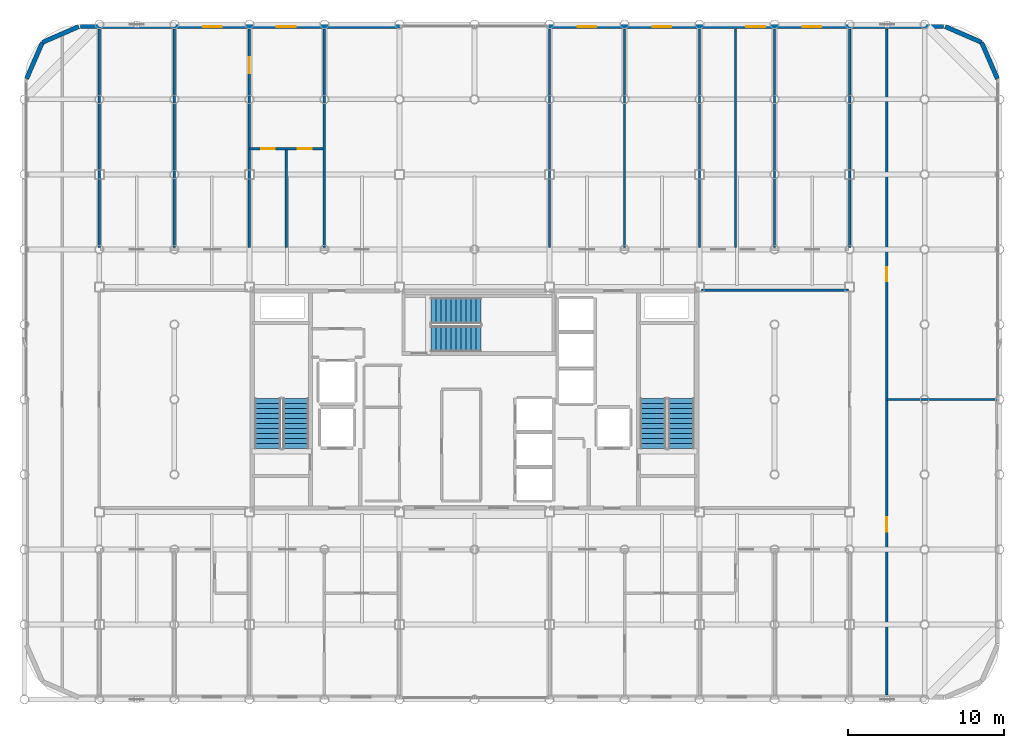
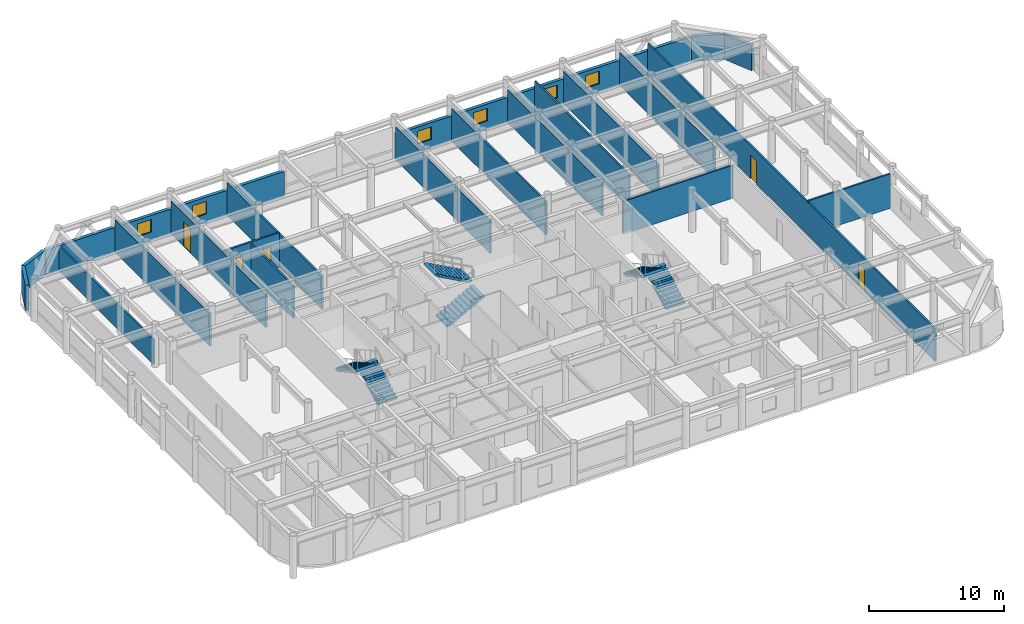
# One storey, part 21 of 22: 21 walls, 6 stair flights, 6 windows, 5 doors, 11 openings, 3 elements without a shape of their own.
"""IFC4 building model written with IfcOpenShell, lengths in metres."""

from ifc_helpers import new_model, si_unit, direction, frame, frame_2d, origin, place, context, subcontext, project, spatial, polyline, rectangle, outline, extrude, material, layer, layer_set, type_object, element, fill, aggregate, save


model = new_model("IFC4")

# Units and contexts
model_context = context("Model", 3, precision=1e-05, world=origin(), true_north=direction((0.0, 1.0)))
body_context = subcontext(model_context, "Body", "Model", "MODEL_VIEW")
ifc_project = project(units=[si_unit("LENGTHUNIT", "METRE"), si_unit("AREAUNIT", "SQUARE_METRE"), si_unit("VOLUMEUNIT", "CUBIC_METRE"), si_unit("PLANEANGLEUNIT", "RADIAN"), si_unit("MASSUNIT", "GRAM", prefix="KILO")], contexts=[model_context])

# Site, building, storey
site_placement = place(None, origin())
site = spatial("IfcSite", under=ifc_project, at=site_placement, CompositionType="ELEMENT")
building_placement = place(site_placement, origin())
building = spatial("IfcBuilding", under=site, at=building_placement, Name="Kallvorn Hotel Tower", CompositionType="ELEMENT")
storey_placement = place(building_placement, frame((0.0, 0.0, 241.550048828125)))
storey = spatial("IfcBuildingStorey", under=building, at=storey_placement, Name="L60", CompositionType="ELEMENT", Elevation=241.550048828125)

# Wall, openings, doors
ifc_material_1 = material(Name="Fire-rated double-layer acoustic gypsum drywall EI 60")
ifc_layer_1 = layer(ifc_material_1, 0.159912109375)
ifc_layer_set_1 = layer_set([ifc_layer_1], Name="WL_DEMISE_160")
wall_type_1 = type_object("IfcWallType", Name="WL_DEMISE_160", PredefinedType="PARTITIONING", material=ifc_layer_set_1)
wall_1_placement = place(storey_placement, frame((-14.39990234375, 16.050048828125, 0.0), z_axis=(0.0, 0.0, 1.0), x_axis=(1.0, 0.0, 0.0)))
wall_1 = element("IfcWall", 1, at=wall_1_placement, inside=storey, type_object=wall_type_1, Name="L60 Suite 6005 Junior Bedroom Partition", PredefinedType="PARTITIONING", context=body_context, shape_type="SweptSolid", body=[
    extrude(rectangle(XDim=4.719970703125, YDim=0.159912109375, at=frame_2d((2.35986328125, 0.0))), origin(), (0.0, 0.0, 1.0), 3.119873046875),
])
opening_1_placement = place(wall_1_placement, frame((0.75, 0.0, 0.0)))
opening_1 = element("IfcOpeningElement", 2, at=opening_1_placement, cuts=wall_1, Name="Opening BD-I", PredefinedType="OPENING", context=body_context, shape_type="SweptSolid", body=[
    extrude(rectangle(XDim=0.860107421875, YDim=2.10009765625, at=frame_2d((0.43017578125, 1.050048828125))), frame((0.0, 0.094970703125, 0.0), z_axis=(0.0, -1.0, 0.0), x_axis=(1.0, 0.0, 0.0)), (0.0, 0.0, 1.0), 0.18994140625),
])
opening_2_placement = place(wall_1_placement, frame((3.090087890625, 0.0, 0.0)))
opening_2 = element("IfcOpeningElement", 3, at=opening_2_placement, cuts=wall_1, Name="Opening SVD1", PredefinedType="OPENING", context=body_context, shape_type="SweptSolid", body=[
    extrude(rectangle(XDim=0.89990234375, YDim=2.10009765625, at=frame_2d((0.449951171875, 1.050048828125))), frame((0.0, 0.094970703125, 0.0), z_axis=(0.0, -1.0, 0.0), x_axis=(1.0, 0.0, 0.0)), (0.0, 0.0, 1.0), 0.18994140625),
])
ifc_material_2 = material(Name="Solid-core walnut veneer fire-rated timber door leaf", Category="wood")
door_type_1 = type_object("IfcDoorType", Name="DR_BATH_860x2100", OperationType="NOTDEFINED", PredefinedType="DOOR", material=ifc_material_2)
door_1_placement = place(opening_1_placement, origin())
door_1 = element("IfcDoor", 4, at=door_1_placement, inside=storey, type_object=door_type_1, Name="L60 Suite 6005 En-Suite Bathroom Door", OperationType="SINGLE_SWING_LEFT", OverallHeight=2.10009765625, OverallWidth=0.860107421875, PredefinedType="DOOR", context=body_context, shape_type="SweptSolid", body=[
    extrude(rectangle(XDim=0.860107421875, YDim=2.10009765625, at=frame_2d((0.43017578125, 1.050048828125))), frame((0.0, 0.02490234375, 0.0), z_axis=(0.0, -1.0, 0.0), x_axis=(1.0, 0.0, 0.0)), (0.0, 0.0, 1.0), 0.050048828125),
])
fill(opening_1, door_1)
ifc_material_3 = material(Name="Galvanised painted steel fire-rated door assembly", Category="steel")
door_type_2 = type_object("IfcDoorType", Name="DR_SERV_900x2100", OperationType="NOTDEFINED", PredefinedType="DOOR", material=ifc_material_3)
door_2_placement = place(opening_2_placement, origin())
door_2 = element("IfcDoor", 5, at=door_2_placement, inside=storey, type_object=door_type_2, Name="L60 Suite 6005 Walk-In Dressing Closet Door", OperationType="SINGLE_SWING_LEFT", OverallHeight=2.10009765625, OverallWidth=0.89990234375, PredefinedType="DOOR", context=body_context, shape_type="SweptSolid", body=[
    extrude(rectangle(XDim=0.89990234375, YDim=2.10009765625, at=frame_2d((0.449951171875, 1.050048828125))), frame((0.0, 0.02490234375, 0.0), z_axis=(0.0, -1.0, 0.0), x_axis=(1.0, 0.0, 0.0)), (0.0, 0.0, 1.0), 0.050048828125),
])
fill(opening_2, door_2)

# Wall
wall_2_placement = place(storey_placement, frame((-19.199951171875, 9.719970703125, 0.0), z_axis=(0.0, 0.0, 1.0), x_axis=(0.0, 1.0, 0.0)))
element("IfcWall", 6, at=wall_2_placement, inside=storey, type_object=wall_type_1, Name="L60 Suite 6005 Junior Living Salon Partition", PredefinedType="PARTITIONING", context=body_context, shape_type="SweptSolid", body=[
    extrude(rectangle(XDim=13.989990234375, YDim=0.159912109375, at=frame_2d((6.9951171875, 0.0))), origin(), (0.0, 0.0, 1.0), 2.969970703125),
])

# Wall, opening, door
wall_3_placement = place(storey_placement, frame((-14.39990234375, 9.719970703125, 0.0), z_axis=(0.0, 0.0, 1.0), x_axis=(0.0, 1.0, 0.0)))
wall_3 = element("IfcWall", 7, at=wall_3_placement, inside=storey, type_object=wall_type_1, Name="L60 Suite 6005 Junior Living Salon Partition", PredefinedType="PARTITIONING", context=body_context, shape_type="SweptSolid", body=[
    extrude(rectangle(XDim=13.989990234375, YDim=0.159912109375, at=frame_2d((6.9951171875, 0.0))), origin(), (0.0, 0.0, 1.0), 2.969970703125),
])
opening_3_placement = place(wall_3_placement, frame((11.136962890625, 0.0, 0.0)))
opening_3 = element("IfcOpeningElement", 8, at=opening_3_placement, cuts=wall_3, Name="Opening GD2", PredefinedType="OPENING", context=body_context, shape_type="SweptSolid", body=[
    extrude(rectangle(XDim=1.050048828125, YDim=2.199951171875, at=frame_2d((0.52490234375, 1.10009765625))), frame((0.0, 0.094970703125, 0.0), z_axis=(0.0, -1.0, 0.0), x_axis=(1.0, 0.0, 0.0)), (0.0, 0.0, 1.0), 0.18994140625),
])
ifc_material_4 = material(Name="Solid-core walnut veneer fire-rated timber door leaf", Category="wood")
door_type_3 = type_object("IfcDoorType", Name="DR_SUITE_1050x2200", OperationType="NOTDEFINED", PredefinedType="DOOR", material=ifc_material_4)
door_3_placement = place(opening_3_placement, origin())
door_3 = element("IfcDoor", 9, at=door_3_placement, inside=storey, type_object=door_type_3, Name="L60 Suite 6005 Junior Bedroom Door", OperationType="SINGLE_SWING_LEFT", OverallHeight=2.199951171875, OverallWidth=1.050048828125, PredefinedType="DOOR", context=body_context, shape_type="SweptSolid", body=[
    extrude(rectangle(XDim=1.050048828125, YDim=2.199951171875, at=frame_2d((0.52490234375, 1.10009765625))), frame((0.0, 0.02490234375, 0.0), z_axis=(0.0, -1.0, 0.0), x_axis=(1.0, 0.0, 0.0)), (0.0, 0.0, 1.0), 0.050048828125),
])
fill(opening_3, door_3)

# Walls
wall_4_placement = place(storey_placement, frame((-9.60009765625, 9.719970703125, 0.0), z_axis=(0.0, 0.0, 1.0), x_axis=(0.0, 1.0, 0.0)))
element("IfcWall", 10, at=wall_4_placement, inside=storey, type_object=wall_type_1, Name="L60 Suite 6005 Junior Bedroom Partition", PredefinedType="PARTITIONING", context=body_context, shape_type="SweptSolid", body=[
    extrude(rectangle(XDim=13.989990234375, YDim=0.159912109375, at=frame_2d((6.9951171875, 0.0))), origin(), (0.0, 0.0, 1.0), 2.969970703125),
])
ifc_material_5 = material(Name="Precast basalt-clad insulated concrete wall C40/50", Category="masonry")
ifc_layer_2 = layer(ifc_material_5, 0.280029296875)
ifc_layer_set_2 = layer_set([ifc_layer_2], Name="WL_EXT_LOGGIA_280")
wall_type_2 = type_object("IfcWallType", Name="WL_EXT_LOGGIA_280", PredefinedType="SOLIDWALL", material=ifc_layer_set_2)
wall_5_placement = place(storey_placement, frame((33.4580078125, 20.520751953125, 0.0), z_axis=(0.0, 0.0, 1.0), x_axis=(-0.398792985289, 0.917040977756, 0.0)))
element("IfcWall", 11, at=wall_5_placement, inside=storey, type_object=wall_type_2, Name="L60 Rounded Corner Exterior Wall NE1", PredefinedType="SOLIDWALL", context=body_context, shape_type="SweptSolid", body=[
    extrude(rectangle(XDim=2.536376953125, YDim=0.280029296875, at=frame_2d((1.26806640625, 0.0))), origin(), (0.0, 0.0, 1.0), 2.27001953125),
])
for number, where, z_axis, x_axis, name in (
    (12, (32.446533203125, 22.8466796875, 0.0), (0.0, 0.0, 1.0), (-0.917060872934, 0.398747232384, 0.0), "L60 Rounded Corner Exterior Wall NE2"),
    (13, (-25.32080078125, 23.85791015625, 0.0), (0.0, 0.0, 1.0), (-0.917060872934, -0.398747232384, 0.0), "L60 Rounded Corner Exterior Wall NW1"),
):
    element("IfcWall", number, at=place(storey_placement, frame(where, z_axis=z_axis, x_axis=x_axis)), inside=storey, type_object=wall_type_2, Name=name, PredefinedType="SOLIDWALL", context=body_context, shape_type="SweptSolid", body=[
        extrude(rectangle(XDim=2.5361328125, YDim=0.280029296875, at=frame_2d((1.26806640625, 0.0))), origin(), (0.0, 0.0, 1.0), 2.27001953125),
    ])
wall_6_placement = place(storey_placement, frame((-27.646484375, 22.8466796875, 0.0), z_axis=(0.0, 0.0, 1.0), x_axis=(-0.398792985289, -0.917040977756, 0.0)))
element("IfcWall", 14, at=wall_6_placement, inside=storey, type_object=wall_type_2, Name="L60 Rounded Corner Exterior Wall NW2", PredefinedType="SOLIDWALL", context=body_context, shape_type="SweptSolid", body=[
    extrude(rectangle(XDim=2.536376953125, YDim=0.280029296875, at=frame_2d((1.26806640625, 0.0))), origin(), (0.0, 0.0, 1.0), 2.27001953125),
])

# Wall, openings, windows
wall_7_placement = place(storey_placement, frame((-25.199951171875, 23.860107421875, 0.0), z_axis=(0.0, 0.0, 1.0), x_axis=(1.0, 0.0, 0.0)))
wall_7 = element("IfcWall", 15, at=wall_7_placement, inside=storey, type_object=wall_type_2, Name="L60 Exterior Envelope Wall EW-L60-NW", PredefinedType="SOLIDWALL", context=body_context, shape_type="SweptSolid", body=[
    extrude(rectangle(XDim=20.449951171875, YDim=0.280029296875, at=frame_2d((10.22509765625, 0.0))), origin(), (0.0, 0.0, 1.0), 2.27001953125),
])
opening_4_placement = place(wall_7_placement, frame((7.840087890625, 0.0, 0.75)))
opening_4 = element("IfcOpeningElement", 16, at=opening_4_placement, cuts=wall_7, Name="Opening W06A", PredefinedType="OPENING", context=body_context, shape_type="SweptSolid", body=[
    extrude(rectangle(XDim=1.199951171875, YDim=1.14990234375, at=frame_2d((0.60009765625, 0.574951171875))), frame((0.0, 0.155029296875, 0.0), z_axis=(0.0, -1.0, 0.0), x_axis=(1.0, 0.0, 0.0)), (0.0, 0.0, 1.0), 0.31005859375),
])
opening_5_placement = place(wall_7_placement, frame((12.56005859375, 0.0, 0.75)))
opening_5 = element("IfcOpeningElement", 17, at=opening_5_placement, cuts=wall_7, Name="Opening W06A", PredefinedType="OPENING", context=body_context, shape_type="SweptSolid", body=[
    extrude(rectangle(XDim=1.199951171875, YDim=1.14990234375, at=frame_2d((0.60009765625, 0.574951171875))), frame((0.0, 0.155029296875, 0.0), z_axis=(0.0, -1.0, 0.0), x_axis=(1.0, 0.0, 0.0)), (0.0, 0.0, 1.0), 0.31005859375),
])
ifc_material_6 = material(Name="Triple-glazed low-e acoustic solar-control dark glass", Category="glass")
window_type = type_object("IfcWindowType", Name="WN_HTL_1200x1150", PartitioningType="SINGLE_PANEL", PredefinedType="WINDOW", material=ifc_material_6)
window_1_placement = place(opening_4_placement, origin())
window_1 = element("IfcWindow", 18, at=window_1_placement, inside=storey, type_object=window_type, Name="L60 Guestroom Exterior Window 10", OverallHeight=1.14990234375, OverallWidth=1.199951171875, PartitioningType="SINGLE_PANEL", PredefinedType="WINDOW", context=body_context, shape_type="SweptSolid", body=[
    extrude(rectangle(XDim=1.199951171875, YDim=1.14990234375, at=frame_2d((0.60009765625, 0.574951171875))), frame((0.0, 0.030029296875, 0.0), z_axis=(0.0, -1.0, 0.0), x_axis=(1.0, 0.0, 0.0)), (0.0, 0.0, 1.0), 0.06005859375),
])
fill(opening_4, window_1)
window_2_placement = place(opening_5_placement, origin())
window_2 = element("IfcWindow", 19, at=window_2_placement, inside=storey, type_object=window_type, Name="L60 Guestroom Exterior Window 11", OverallHeight=1.14990234375, OverallWidth=1.199951171875, PartitioningType="SINGLE_PANEL", PredefinedType="WINDOW", context=body_context, shape_type="SweptSolid", body=[
    extrude(rectangle(XDim=1.199951171875, YDim=1.14990234375, at=frame_2d((0.60009765625, 0.574951171875))), frame((0.0, 0.030029296875, 0.0), z_axis=(0.0, -1.0, 0.0), x_axis=(1.0, 0.0, 0.0)), (0.0, 0.0, 1.0), 0.06005859375),
])
fill(opening_5, window_2)

wall_8_placement = place(storey_placement, frame((4.75, 23.860107421875, 0.0), z_axis=(0.0, 0.0, 1.0), x_axis=(1.0, 0.0, 0.0)))
wall_8 = element("IfcWall", 20, at=wall_8_placement, inside=storey, type_object=wall_type_2, Name="L60 Exterior Envelope Wall EW-L60-NE", PredefinedType="SOLIDWALL", context=body_context, shape_type="SweptSolid", body=[
    extrude(rectangle(XDim=25.25, YDim=0.280029296875, at=frame_2d((12.625, 0.0))), origin(), (0.0, 0.0, 1.0), 2.27001953125),
])
opening_6_placement = place(wall_8_placement, frame((16.25, 0.0, 0.75)))
opening_6 = element("IfcOpeningElement", 21, at=opening_6_placement, cuts=wall_8, Name="Opening W06A", PredefinedType="OPENING", context=body_context, shape_type="SweptSolid", body=[
    extrude(rectangle(XDim=1.199951171875, YDim=1.14990234375, at=frame_2d((0.60009765625, 0.574951171875))), frame((0.0, 0.155029296875, 0.0), z_axis=(0.0, -1.0, 0.0), x_axis=(1.0, 0.0, 0.0)), (0.0, 0.0, 1.0), 0.31005859375),
])
opening_7_placement = place(wall_8_placement, frame((1.85009765625, 0.0, 0.75)))
opening_7 = element("IfcOpeningElement", 22, at=opening_7_placement, cuts=wall_8, Name="Opening W06A", PredefinedType="OPENING", context=body_context, shape_type="SweptSolid", body=[
    extrude(rectangle(XDim=1.199951171875, YDim=1.14990234375, at=frame_2d((0.60009765625, 0.574951171875))), frame((0.0, 0.155029296875, 0.0), z_axis=(0.0, -1.0, 0.0), x_axis=(1.0, 0.0, 0.0)), (0.0, 0.0, 1.0), 0.31005859375),
])
opening_8_placement = place(wall_8_placement, frame((6.64990234375, 0.0, 0.75)))
opening_8 = element("IfcOpeningElement", 23, at=opening_8_placement, cuts=wall_8, Name="Opening W06A", PredefinedType="OPENING", context=body_context, shape_type="SweptSolid", body=[
    extrude(rectangle(XDim=1.199951171875, YDim=1.14990234375, at=frame_2d((0.60009765625, 0.574951171875))), frame((0.0, 0.155029296875, 0.0), z_axis=(0.0, -1.0, 0.0), x_axis=(1.0, 0.0, 0.0)), (0.0, 0.0, 1.0), 0.31005859375),
])
opening_9_placement = place(wall_8_placement, frame((12.64990234375, 0.0, 0.75)))
opening_9 = element("IfcOpeningElement", 24, at=opening_9_placement, cuts=wall_8, Name="Opening W06A", PredefinedType="OPENING", context=body_context, shape_type="SweptSolid", body=[
    extrude(rectangle(XDim=1.199951171875, YDim=1.14990234375, at=frame_2d((0.60009765625, 0.574951171875))), frame((0.0, 0.155029296875, 0.0), z_axis=(0.0, -1.0, 0.0), x_axis=(1.0, 0.0, 0.0)), (0.0, 0.0, 1.0), 0.31005859375),
])
window_3_placement = place(opening_6_placement, origin())
window_3 = element("IfcWindow", 25, at=window_3_placement, inside=storey, type_object=window_type, Name="L60 Guestroom Exterior Window 02", OverallHeight=1.14990234375, OverallWidth=1.199951171875, PartitioningType="SINGLE_PANEL", PredefinedType="WINDOW", context=body_context, shape_type="SweptSolid", body=[
    extrude(rectangle(XDim=1.199951171875, YDim=1.14990234375, at=frame_2d((0.60009765625, 0.574951171875))), frame((0.0, 0.030029296875, 0.0), z_axis=(0.0, -1.0, 0.0), x_axis=(1.0, 0.0, 0.0)), (0.0, 0.0, 1.0), 0.06005859375),
])
fill(opening_6, window_3)
window_4_placement = place(opening_7_placement, origin())
window_4 = element("IfcWindow", 26, at=window_4_placement, inside=storey, type_object=window_type, Name="L60 Guestroom Exterior Window 12", OverallHeight=1.14990234375, OverallWidth=1.199951171875, PartitioningType="SINGLE_PANEL", PredefinedType="WINDOW", context=body_context, shape_type="SweptSolid", body=[
    extrude(rectangle(XDim=1.199951171875, YDim=1.14990234375, at=frame_2d((0.60009765625, 0.574951171875))), frame((0.0, 0.030029296875, 0.0), z_axis=(0.0, -1.0, 0.0), x_axis=(1.0, 0.0, 0.0)), (0.0, 0.0, 1.0), 0.06005859375),
])
fill(opening_7, window_4)
window_5_placement = place(opening_8_placement, origin())
window_5 = element("IfcWindow", 27, at=window_5_placement, inside=storey, type_object=window_type, Name="L60 Guestroom Exterior Window 13", OverallHeight=1.14990234375, OverallWidth=1.199951171875, PartitioningType="SINGLE_PANEL", PredefinedType="WINDOW", context=body_context, shape_type="SweptSolid", body=[
    extrude(rectangle(XDim=1.199951171875, YDim=1.14990234375, at=frame_2d((0.60009765625, 0.574951171875))), frame((0.0, 0.030029296875, 0.0), z_axis=(0.0, -1.0, 0.0), x_axis=(1.0, 0.0, 0.0)), (0.0, 0.0, 1.0), 0.06005859375),
])
fill(opening_8, window_5)
window_6_placement = place(opening_9_placement, origin())
window_6 = element("IfcWindow", 28, at=window_6_placement, inside=storey, type_object=window_type, Name="L60 Guestroom Exterior Window 14", OverallHeight=1.14990234375, OverallWidth=1.199951171875, PartitioningType="SINGLE_PANEL", PredefinedType="WINDOW", context=body_context, shape_type="SweptSolid", body=[
    extrude(rectangle(XDim=1.199951171875, YDim=1.14990234375, at=frame_2d((0.60009765625, 0.574951171875))), frame((0.0, 0.030029296875, 0.0), z_axis=(0.0, -1.0, 0.0), x_axis=(1.0, 0.0, 0.0)), (0.0, 0.0, 1.0), 0.06005859375),
])
fill(opening_9, window_6)

# Walls
ifc_material_7 = material(Name="Fire-rated double-layer acoustic gypsum drywall EI 60")
ifc_layer_3 = layer(ifc_material_7, 0.14990234375)
ifc_layer_set_3 = layer_set([ifc_layer_3], Name="WL_PART_150")
wall_type_3 = type_object("IfcWallType", Name="WL_PART_150", PredefinedType="PARTITIONING", material=ifc_layer_set_3)
wall_9_placement = place(storey_placement, frame((26.3798828125, 0.0, 0.0), z_axis=(0.0, 0.0, 1.0), x_axis=(1.0, 0.0, 0.0)))
element("IfcWall", 29, at=wall_9_placement, inside=storey, type_object=wall_type_3, Name="L60 L60 Outer East South Tasting Bar Partition", PredefinedType="PARTITIONING", context=body_context, shape_type="SweptSolid", body=[
    extrude(rectangle(XDim=7.050048828125, YDim=0.14990234375, at=frame_2d((3.52490234375, 0.0))), origin(), (0.0, 0.0, 1.0), 3.119873046875),
])
wall_10_placement = place(storey_placement, frame((14.52001953125, 6.97998046875, 0.0), z_axis=(0.0, 0.0, 1.0), x_axis=(1.0, 0.0, 0.0)))
element("IfcWall", 30, at=wall_10_placement, inside=storey, type_object=wall_type_3, Name="L60 L60 High-Zone Inner East Club Gallery Partition", PredefinedType="PARTITIONING", context=body_context, shape_type="SweptSolid", body=[
    extrude(rectangle(XDim=9.39990234375, YDim=0.14990234375, at=frame_2d((4.699951171875, 0.0))), origin(), (0.0, 0.0, 1.0), 2.969970703125),
])
wall_11_placement = place(storey_placement, frame((-24.0, 9.719970703125, 0.0), z_axis=(0.0, 0.0, 1.0), x_axis=(0.0, 1.0, 0.0)))
element("IfcWall", 31, at=wall_11_placement, inside=storey, type_object=wall_type_3, Name="L60 L60 High-Zone North-West Reading Salon Partition", PredefinedType="PARTITIONING", context=body_context, shape_type="SweptSolid", body=[
    extrude(rectangle(XDim=13.989990234375, YDim=0.14990234375, at=frame_2d((6.9951171875, 0.0))), origin(), (0.0, 0.0, 1.0), 2.27001953125),
])
wall_12_placement = place(storey_placement, frame((-12.0400390625, 9.719970703125, 0.0), z_axis=(0.0, 0.0, 1.0), x_axis=(0.0, 1.0, 0.0)))
element("IfcWall", 32, at=wall_12_placement, inside=storey, type_object=wall_type_3, Name="L60 Suite 6005 Walk-In Dressing Closet Partition", PredefinedType="PARTITIONING", context=body_context, shape_type="SweptSolid", body=[
    extrude(rectangle(XDim=6.2451171875, YDim=0.14990234375, at=frame_2d((3.12255859375, 0.0))), origin(), (0.0, 0.0, 1.0), 2.969970703125),
])
for number, where, z_axis, x_axis, name in (
    (33, (4.800048828125, 9.719970703125, 0.0), (0.0, 0.0, 1.0), (0.0, 1.0, 0.0), "L60 L60 Panoramic Club Sky Lounge 3-1 Partition"),
    (34, (9.60009765625, 9.719970703125, 0.0), (0.0, 0.0, 1.0), (0.0, 1.0, 0.0), "L60 L60 Panoramic Club Sky Lounge 3-1 Partition"),
    (35, (14.39990234375, 9.719970703125, 0.0), (0.0, 0.0, 1.0), (0.0, 1.0, 0.0), "L60 Housekeeping and Linen Room Partition"),
    (36, (16.705078125, 9.719970703125, 0.0), (0.0, 0.0, 1.0), (0.0, 1.0, 0.0), "L60 Guest Tea and Refreshment Bar Partition"),
    (37, (19.199951171875, 9.719970703125, 0.0), (0.0, 0.0, 1.0), (0.0, 1.0, 0.0), "L60 Guest Tea and Refreshment Bar Partition"),
    (38, (24.0, 9.719970703125, 0.0), (0.0, 0.0, 1.0), (0.0, 1.0, 0.0), "L60 L60 High-Zone North-East Pastry Bar Partition"),
):
    element("IfcWall", number, at=place(storey_placement, frame(where, z_axis=z_axis, x_axis=x_axis)), inside=storey, type_object=wall_type_3, Name=name, PredefinedType="PARTITIONING", context=body_context, shape_type="SweptSolid", body=[
        extrude(rectangle(XDim=13.989990234375, YDim=0.14990234375, at=frame_2d((6.9951171875, 0.0))), origin(), (0.0, 0.0, 1.0), 2.969970703125),
    ])

# Wall, openings, doors
wall_13_placement = place(storey_placement, frame((26.3798828125, -18.909912109375, 0.0), z_axis=(0.0, 0.0, 1.0), x_axis=(0.0, 1.0, 0.0)))
wall_13 = element("IfcWall", 39, at=wall_13_placement, inside=storey, type_object=wall_type_3, Name="L60 L60 Outer East South Tasting Bar Partition", PredefinedType="PARTITIONING", context=body_context, shape_type="SweptSolid", body=[
    extrude(rectangle(XDim=42.619873046875, YDim=0.14990234375, at=frame_2d((21.31005859375, 0.0))), origin(), (0.0, 0.0, 1.0), 2.969970703125),
])
opening_10_placement = place(wall_13_placement, frame((10.4599609375, 0.0, 0.0)))
opening_10 = element("IfcOpeningElement", 40, at=opening_10_placement, cuts=wall_13, Name="Opening SVD1", PredefinedType="OPENING", context=body_context, shape_type="SweptSolid", body=[
    extrude(rectangle(XDim=0.89990234375, YDim=2.10009765625, at=frame_2d((0.449951171875, 1.050048828125))), frame((0.0, 0.08984375, 0.0), z_axis=(0.0, -1.0, 0.0), x_axis=(1.0, 0.0, 0.0)), (0.0, 0.0, 1.0), 0.179931640625),
])
opening_11_placement = place(wall_13_placement, frame((26.4599609375, 0.0, 0.0)))
opening_11 = element("IfcOpeningElement", 41, at=opening_11_placement, cuts=wall_13, Name="Opening SVD1", PredefinedType="OPENING", context=body_context, shape_type="SweptSolid", body=[
    extrude(rectangle(XDim=0.89990234375, YDim=2.10009765625, at=frame_2d((0.449951171875, 1.050048828125))), frame((0.0, 0.08984375, 0.0), z_axis=(0.0, -1.0, 0.0), x_axis=(1.0, 0.0, 0.0)), (0.0, 0.0, 1.0), 0.179931640625),
])
door_4_placement = place(opening_10_placement, origin())
door_4 = element("IfcDoor", 42, at=door_4_placement, inside=storey, type_object=door_type_2, Name="L60 L60 Outer East South Tasting Bar Door", OperationType="SINGLE_SWING_LEFT", OverallHeight=2.10009765625, OverallWidth=0.89990234375, PredefinedType="DOOR", context=body_context, shape_type="SweptSolid", body=[
    extrude(rectangle(XDim=0.89990234375, YDim=2.10009765625, at=frame_2d((0.449951171875, 1.050048828125))), frame((0.0, 0.02490234375, 0.0), z_axis=(0.0, -1.0, 0.0), x_axis=(1.0, 0.0, 0.0)), (0.0, 0.0, 1.0), 0.050048828125),
])
fill(opening_10, door_4)
door_5_placement = place(opening_11_placement, origin())
door_5 = element("IfcDoor", 43, at=door_5_placement, inside=storey, type_object=door_type_2, Name="L60 L60 Outer East North Collectors Gallery Door", OperationType="SINGLE_SWING_RIGHT", OverallHeight=2.10009765625, OverallWidth=0.89990234375, PredefinedType="DOOR", context=body_context, shape_type="SweptSolid", body=[
    extrude(rectangle(XDim=0.89990234375, YDim=2.10009765625, at=frame_2d((0.449951171875, 1.050048828125))), frame((0.0, 0.02490234375, 0.0), z_axis=(0.0, -1.0, 0.0), x_axis=(1.0, 0.0, 0.0)), (0.0, 0.0, 1.0), 0.050048828125),
])
fill(opening_11, door_5)

# Stair, stair flights
ifc_material_8 = material(Name="Precast concrete C40/50", Category="concrete")
stair_type = type_object("IfcStairType", Name="STR_CORE_DOGLEG", PredefinedType="HALF_TURN_STAIR", material=ifc_material_8)
stair_1_placement = place(storey_placement, origin())
stair_1 = element("IfcStair", 44, at=stair_1_placement, inside=storey, type_object=stair_type, Name="L60 Exit stair ST1", PredefinedType="HALF_TURN_STAIR")
ifc_material_9 = material(Name="Precast concrete C40/50", Category="concrete")
stair_flight_type = type_object("IfcStairFlightType", Name="FLT_CORE_1660", PredefinedType="STRAIGHT", material=ifc_material_9)
stair_flight_1_placement = place(storey_placement, frame((-11.429931640625, -3.139892578125, 0.0), z_axis=(0.0, 0.0, 1.0), x_axis=(0.0, 1.0, 0.0)))
stair_flight_1 = element("IfcStairFlight", 45, at=stair_flight_1_placement, type_object=stair_flight_type, Name="ST1 flight 1", NumberOfRisers=11, NumberOfTreads=10, PredefinedType="STRAIGHT", RiserHeight=0.175, TreadLength=0.32, context=body_context, shape_type="SweptSolid", body=[
    extrude(outline(polyline([(0.0, 0.0), (0.0, 0.175048828125), (0.320068359375, 0.175048828125), (0.320068359375, 0.35009765625), (0.639892578125, 0.35009765625), (0.639892578125, 0.52490234375), (0.9599609375, 0.52490234375), (0.9599609375, 0.699951171875), (1.280029296875, 0.699951171875), (1.280029296875, 0.875), (1.60009765625, 0.875), (1.60009765625, 1.050048828125), (1.919921875, 1.050048828125), (1.919921875, 1.22509765625), (2.239990234375, 1.22509765625), (2.239990234375, 1.39990234375), (2.56005859375, 1.39990234375), (2.56005859375, 1.574951171875), (2.8798828125, 1.574951171875), (2.8798828125, 1.75), (3.199951171875, 1.75), (3.199951171875, 1.925048828125), (3.199951171875, 1.5791015625), (0.3125, 0.0), (0.0, 0.0)])), frame((0.0, 0.830078125, 0.0), z_axis=(0.0, -1.0, 0.0), x_axis=(1.0, 0.0, 0.0)), (0.0, 0.0, 1.0), 1.659912109375),
])
stair_flight_2_placement = place(storey_placement, frame((-13.22998046875, 0.06005859375, 1.925048828125), z_axis=(0.0, 0.0, 1.0), x_axis=(0.0, -1.0, 0.0)))
stair_flight_2 = element("IfcStairFlight", 46, at=stair_flight_2_placement, type_object=stair_flight_type, Name="ST1 flight 2", NumberOfRisers=11, NumberOfTreads=10, PredefinedType="STRAIGHT", RiserHeight=0.175, TreadLength=0.32, context=body_context, shape_type="SweptSolid", body=[
    extrude(outline(polyline([(0.0, 0.0), (0.0, 0.175048828125), (0.320068359375, 0.175048828125), (0.320068359375, 0.35009765625), (0.639892578125, 0.35009765625), (0.639892578125, 0.52490234375), (0.9599609375, 0.52490234375), (0.9599609375, 0.699951171875), (1.280029296875, 0.699951171875), (1.280029296875, 0.875), (1.60009765625, 0.875), (1.60009765625, 1.050048828125), (1.919921875, 1.050048828125), (1.919921875, 1.22509765625), (2.239990234375, 1.22509765625), (2.239990234375, 1.39990234375), (2.56005859375, 1.39990234375), (2.56005859375, 1.574951171875), (2.8798828125, 1.574951171875), (2.8798828125, 1.75), (3.199951171875, 1.75), (3.199951171875, 1.925048828125), (3.199951171875, 1.5791015625), (0.3125, 0.0), (0.0, 0.0)])), frame((0.0, 0.830078125, 0.0), z_axis=(0.0, -1.0, 0.0), x_axis=(1.0, 0.0, 0.0)), (0.0, 0.0, 1.0), 1.659912109375),
])
aggregate(stair_1, [stair_flight_1, stair_flight_2])

stair_2_placement = place(storey_placement, origin())
stair_2 = element("IfcStair", 47, at=stair_2_placement, inside=storey, type_object=stair_type, Name="L60 Exit stair ST2", PredefinedType="HALF_TURN_STAIR")
stair_flight_3_placement = place(storey_placement, frame((13.22998046875, -3.139892578125, 0.0), z_axis=(0.0, 0.0, 1.0), x_axis=(0.0, 1.0, 0.0)))
stair_flight_3 = element("IfcStairFlight", 48, at=stair_flight_3_placement, type_object=stair_flight_type, Name="ST2 flight 1", NumberOfRisers=11, NumberOfTreads=10, PredefinedType="STRAIGHT", RiserHeight=0.175, TreadLength=0.32, context=body_context, shape_type="SweptSolid", body=[
    extrude(outline(polyline([(0.0, 0.0), (0.0, 0.175048828125), (0.320068359375, 0.175048828125), (0.320068359375, 0.35009765625), (0.639892578125, 0.35009765625), (0.639892578125, 0.52490234375), (0.9599609375, 0.52490234375), (0.9599609375, 0.699951171875), (1.280029296875, 0.699951171875), (1.280029296875, 0.875), (1.60009765625, 0.875), (1.60009765625, 1.050048828125), (1.919921875, 1.050048828125), (1.919921875, 1.22509765625), (2.239990234375, 1.22509765625), (2.239990234375, 1.39990234375), (2.56005859375, 1.39990234375), (2.56005859375, 1.574951171875), (2.8798828125, 1.574951171875), (2.8798828125, 1.75), (3.199951171875, 1.75), (3.199951171875, 1.925048828125), (3.199951171875, 1.5791015625), (0.3125, 0.0), (0.0, 0.0)])), frame((0.0, 0.830078125, 0.0), z_axis=(0.0, -1.0, 0.0), x_axis=(1.0, 0.0, 0.0)), (0.0, 0.0, 1.0), 1.659912109375),
])
stair_flight_4_placement = place(storey_placement, frame((11.429931640625, 0.06005859375, 1.925048828125), z_axis=(0.0, 0.0, 1.0), x_axis=(0.0, -1.0, 0.0)))
stair_flight_4 = element("IfcStairFlight", 49, at=stair_flight_4_placement, type_object=stair_flight_type, Name="ST2 flight 2", NumberOfRisers=11, NumberOfTreads=10, PredefinedType="STRAIGHT", RiserHeight=0.175, TreadLength=0.32, context=body_context, shape_type="SweptSolid", body=[
    extrude(outline(polyline([(0.0, 0.0), (0.0, 0.175048828125), (0.320068359375, 0.175048828125), (0.320068359375, 0.35009765625), (0.639892578125, 0.35009765625), (0.639892578125, 0.52490234375), (0.9599609375, 0.52490234375), (0.9599609375, 0.699951171875), (1.280029296875, 0.699951171875), (1.280029296875, 0.875), (1.60009765625, 0.875), (1.60009765625, 1.050048828125), (1.919921875, 1.050048828125), (1.919921875, 1.22509765625), (2.239990234375, 1.22509765625), (2.239990234375, 1.39990234375), (2.56005859375, 1.39990234375), (2.56005859375, 1.574951171875), (2.8798828125, 1.574951171875), (2.8798828125, 1.75), (3.199951171875, 1.75), (3.199951171875, 1.925048828125), (3.199951171875, 1.5791015625), (0.3125, 0.0), (0.0, 0.0)])), frame((0.0, 0.830078125, 0.0), z_axis=(0.0, -1.0, 0.0), x_axis=(1.0, 0.0, 0.0)), (0.0, 0.0, 1.0), 1.659912109375),
])
aggregate(stair_2, [stair_flight_3, stair_flight_4])

stair_3_placement = place(storey_placement, origin())
stair_3 = element("IfcStair", 50, at=stair_3_placement, inside=storey, type_object=stair_type, Name="L60 Exit stair ST3", PredefinedType="HALF_TURN_STAIR")
stair_flight_5_placement = place(storey_placement, frame((-2.7900390625, 3.8798828125, 0.0), z_axis=(0.0, 0.0, 1.0), x_axis=(1.0, 0.0, 0.0)))
stair_flight_5 = element("IfcStairFlight", 51, at=stair_flight_5_placement, type_object=stair_flight_type, Name="ST3 flight 1", NumberOfRisers=11, NumberOfTreads=10, PredefinedType="STRAIGHT", RiserHeight=0.175, TreadLength=0.32, context=body_context, shape_type="SweptSolid", body=[
    extrude(outline(polyline([(0.0, 0.0), (0.0, 0.175048828125), (0.320068359375, 0.175048828125), (0.320068359375, 0.35009765625), (0.639892578125, 0.35009765625), (0.639892578125, 0.52490234375), (0.9599609375, 0.52490234375), (0.9599609375, 0.699951171875), (1.280029296875, 0.699951171875), (1.280029296875, 0.875), (1.60009765625, 0.875), (1.60009765625, 1.050048828125), (1.919921875, 1.050048828125), (1.919921875, 1.22509765625), (2.239990234375, 1.22509765625), (2.239990234375, 1.39990234375), (2.56005859375, 1.39990234375), (2.56005859375, 1.574951171875), (2.8798828125, 1.574951171875), (2.8798828125, 1.75), (3.199951171875, 1.75), (3.199951171875, 1.925048828125), (3.199951171875, 1.5791015625), (0.3125, 0.0), (0.0, 0.0)])), frame((0.0, 0.830078125, 0.0), z_axis=(0.0, -1.0, 0.0), x_axis=(1.0, 0.0, 0.0)), (0.0, 0.0, 1.0), 1.659912109375),
])
stair_flight_6_placement = place(storey_placement, frame((0.409912109375, 5.679931640625, 1.925048828125), z_axis=(0.0, 0.0, 1.0), x_axis=(-1.0, 0.0, 0.0)))
stair_flight_6 = element("IfcStairFlight", 52, at=stair_flight_6_placement, type_object=stair_flight_type, Name="ST3 flight 2", NumberOfRisers=11, NumberOfTreads=10, PredefinedType="STRAIGHT", RiserHeight=0.175, TreadLength=0.32, context=body_context, shape_type="SweptSolid", body=[
    extrude(outline(polyline([(0.0, 0.0), (0.0, 0.175048828125), (0.320068359375, 0.175048828125), (0.320068359375, 0.35009765625), (0.639892578125, 0.35009765625), (0.639892578125, 0.52490234375), (0.9599609375, 0.52490234375), (0.9599609375, 0.699951171875), (1.280029296875, 0.699951171875), (1.280029296875, 0.875), (1.60009765625, 0.875), (1.60009765625, 1.050048828125), (1.919921875, 1.050048828125), (1.919921875, 1.22509765625), (2.239990234375, 1.22509765625), (2.239990234375, 1.39990234375), (2.56005859375, 1.39990234375), (2.56005859375, 1.574951171875), (2.8798828125, 1.574951171875), (2.8798828125, 1.75), (3.199951171875, 1.75), (3.199951171875, 1.925048828125), (3.199951171875, 1.5791015625), (0.3125, 0.0), (0.0, 0.0)])), frame((0.0, 0.830078125, 0.0), z_axis=(0.0, -1.0, 0.0), x_axis=(1.0, 0.0, 0.0)), (0.0, 0.0, 1.0), 1.659912109375),
])
aggregate(stair_3, [stair_flight_5, stair_flight_6])

save(model, "model.ifc")
